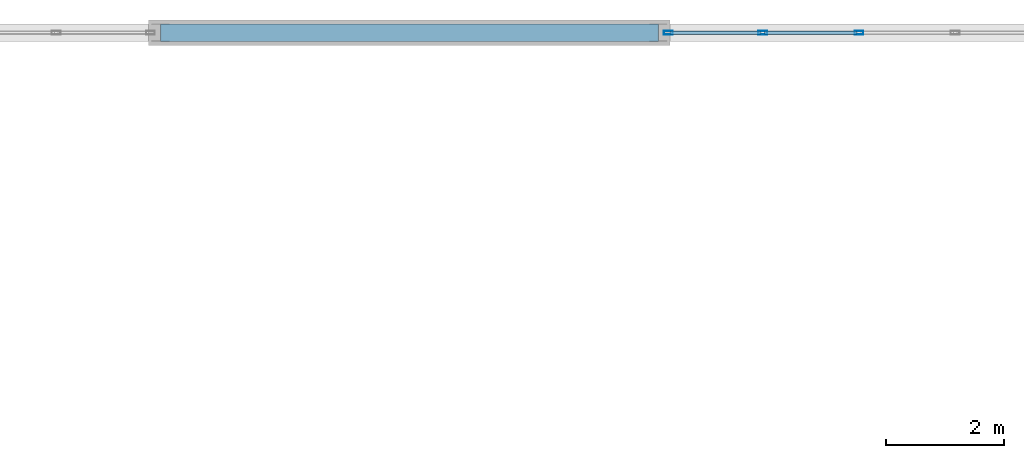
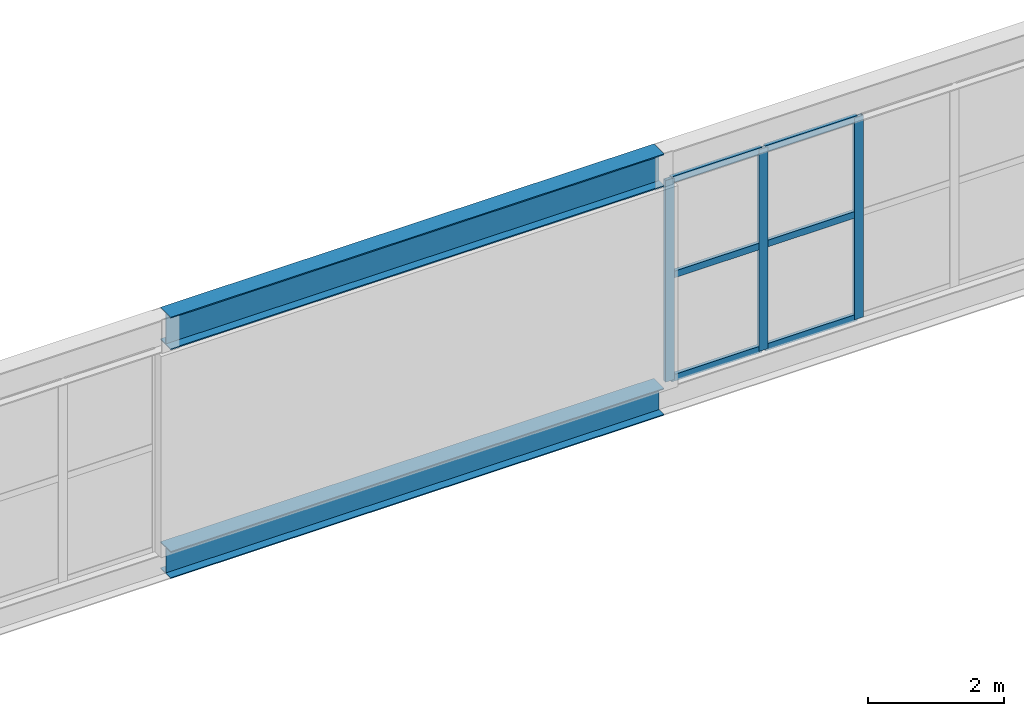
# One storey, part 168 of 218: 9 members, 2 beams, 1 element without a shape of its own.
"""IFC4 building model written with IfcOpenShell, lengths in metres."""

from ifc_helpers import new_model, si_unit, direction, frame, origin, origin_2d, place, context, subcontext, project, spatial, hollow_rectangle, i_section, extrude, material, material_profile, profile_set, type_object, element, aggregate, save


model = new_model("IFC4")

# Units and contexts
model_context = context("Model", 3, precision=1e-05, world=origin(), true_north=direction((0.0, 1.0)))
body_context = subcontext(model_context, "Body", "Model", "MODEL_VIEW")
ifc_project = project(units=[si_unit("LENGTHUNIT", "METRE"), si_unit("AREAUNIT", "SQUARE_METRE"), si_unit("VOLUMEUNIT", "CUBIC_METRE"), si_unit("PLANEANGLEUNIT", "RADIAN"), si_unit("MASSUNIT", "GRAM", prefix="KILO")], contexts=[model_context])

# Site, building, storey
site_placement = place(None, origin())
site = spatial("IfcSite", under=ifc_project, at=site_placement, CompositionType="ELEMENT")
building_placement = place(site_placement, origin())
building = spatial("IfcBuilding", under=site, at=building_placement, Name="Kazenagashi Tramway Depot", CompositionType="ELEMENT")
storey_placement = place(building_placement, frame((0.0, 0.0, 6.0)))
storey = spatial("IfcBuildingStorey", under=building, at=storey_placement, Name="L02", CompositionType="ELEMENT", Elevation=6.0)

# Curtain wall, members
ifc_material_1 = material(Name="Anodised Aluminium and Low-E Glazing", Category="aluminium")
curtain_wall_type = type_object("IfcCurtainWallType", Name="CW-15", PredefinedType="USERDEFINED", material=ifc_material_1)
curtain_wall_placement = place(storey_placement, origin())
curtain_wall = element("IfcCurtainWall", 1, at=curtain_wall_placement, inside=storey, type_object=curtain_wall_type, Name="Industrial Glazed Screen CW-15 CW-0075", ObjectType="GLAZED SCREEN", PredefinedType="USERDEFINED")
ifc_material_2 = material(Name="Anodised Aluminium", Category="aluminium")
ifc_material_profile_1 = material_profile(ifc_material_2, hollow_rectangle(XDim=0.06, YDim=0.15, WallThickness=0.004, at=origin_2d()), Name="RHS-150x60x4")
ifc_profile_set_1 = profile_set([ifc_material_profile_1], Name="Anodised Aluminium")
member_type_1 = type_object("IfcMemberType", Name="ML-01", PredefinedType="MULLION", material=ifc_profile_set_1)
member_1_placement = place(storey_placement, frame((120.57, 130.0, -0.02), z_axis=(0.0, 0.0, 1.0), x_axis=(0.0, 1.0, 0.0)))
member_1 = element("IfcMember", 2, at=member_1_placement, type_object=member_type_1, Name="CW-15 mullion 1", PredefinedType="MULLION", context=body_context, shape_type="SweptSolid", body=[
    extrude(hollow_rectangle(XDim=0.06, YDim=0.15, WallThickness=0.004, at=origin_2d()), origin(), (0.0, 0.0, 1.0), 3.632),
])
member_2_placement = place(storey_placement, frame((122.164, 130.0, -0.02), z_axis=(0.0, 0.0, 1.0), x_axis=(0.0, 1.0, 0.0)))
member_2 = element("IfcMember", 3, at=member_2_placement, type_object=member_type_1, Name="CW-15 mullion 2", PredefinedType="MULLION", context=body_context, shape_type="SweptSolid", body=[
    extrude(hollow_rectangle(XDim=0.06, YDim=0.15, WallThickness=0.004, at=origin_2d()), origin(), (0.0, 0.0, 1.0), 3.632),
])
member_3_placement = place(storey_placement, frame((123.788, 130.0, -0.02), z_axis=(0.0, 0.0, 1.0), x_axis=(0.0, 1.0, 0.0)))
member_3 = element("IfcMember", 4, at=member_3_placement, type_object=member_type_1, Name="CW-15 mullion 3", PredefinedType="MULLION", context=body_context, shape_type="SweptSolid", body=[
    extrude(hollow_rectangle(XDim=0.06, YDim=0.15, WallThickness=0.004, at=origin_2d()), origin(), (0.0, 0.0, 1.0), 3.632),
])

# Beams
ifc_material_3 = material(Name="Steel SN490B", Category="steel")
ifc_material_profile_2 = material_profile(ifc_material_3, i_section(OverallWidth=0.3, OverallDepth=0.588, WebThickness=0.012, FlangeThickness=0.02, at=origin_2d()), Name="H-588x300x12x20")
ifc_profile_set_2 = profile_set([ifc_material_profile_2], Name="Steel SN490B")
beam_type_1 = type_object("IfcBeamType", Name="SP-01", PredefinedType="SPANDREL", material=ifc_profile_set_2)
beam_1_placement = place(storey_placement, frame((112.0, 130.0, 3.906), z_axis=(1.0, 0.0, 0.0), x_axis=(0.0, 1.0, 0.0)))
element("IfcBeam", 5, at=beam_1_placement, inside=storey, type_object=beam_type_1, Name="Beam SP-01 BM-1888", PredefinedType="SPANDREL", context=body_context, shape_type="SweptSolid", body=[
    extrude(i_section(OverallWidth=0.3, OverallDepth=0.588, WebThickness=0.012, FlangeThickness=0.02, at=origin_2d()), origin(), (0.0, 0.0, 1.0), 8.4),
])
ifc_material_profile_3 = material_profile(ifc_material_3, i_section(OverallWidth=0.3, OverallDepth=0.488, WebThickness=0.011, FlangeThickness=0.018, at=origin_2d()), Name="H-488x300x11x18")
ifc_profile_set_3 = profile_set([ifc_material_profile_3], Name="Steel SN490B")
beam_type_2 = type_object("IfcBeamType", Name="SP-02", PredefinedType="SPANDREL", material=ifc_profile_set_3)
beam_2_placement = place(storey_placement, frame((112.0, 130.0, -0.264), z_axis=(1.0, 0.0, 0.0), x_axis=(0.0, 1.0, 0.0)))
element("IfcBeam", 6, at=beam_2_placement, inside=storey, type_object=beam_type_2, Name="Beam SP-02 BM-1832", PredefinedType="SPANDREL", context=body_context, shape_type="SweptSolid", body=[
    extrude(i_section(OverallWidth=0.3, OverallDepth=0.488, WebThickness=0.011, FlangeThickness=0.018, at=origin_2d()), origin(), (0.0, 0.0, 1.0), 8.4),
])

# Member
ifc_material_profile_4 = material_profile(ifc_material_2, hollow_rectangle(XDim=0.06, YDim=0.12, WallThickness=0.004, at=origin_2d()), Name="RHS-120x60x4")
ifc_profile_set_4 = profile_set([ifc_material_profile_4], Name="Anodised Aluminium")
member_type_2 = type_object("IfcMemberType", Name="TR-01", PredefinedType="USERDEFINED", material=ifc_profile_set_4)
member_4_placement = place(storey_placement, frame((120.6, 130.0, 0.01), z_axis=(1.0, 0.0, 0.0), x_axis=(0.0, 1.0, 0.0)))
member_4 = element("IfcMember", 7, at=member_4_placement, type_object=member_type_2, Name="CW-15 transom 1.1", ObjectType="TRANSOM", PredefinedType="USERDEFINED", context=body_context, shape_type="SweptSolid", body=[
    extrude(hollow_rectangle(XDim=0.06, YDim=0.12, WallThickness=0.004, at=origin_2d()), origin(), (0.0, 0.0, 1.0), 1.534),
])

member_5_placement = place(storey_placement, frame((120.6, 130.0, 1.869), z_axis=(1.0, 0.0, 0.0), x_axis=(0.0, 1.0, 0.0)))
member_5 = element("IfcMember", 8, at=member_5_placement, type_object=member_type_2, Name="CW-15 transom 1.2", ObjectType="TRANSOM", PredefinedType="USERDEFINED", context=body_context, shape_type="SweptSolid", body=[
    extrude(hollow_rectangle(XDim=0.06, YDim=0.12, WallThickness=0.004, at=origin_2d()), origin(), (0.0, 0.0, 1.0), 1.534),
])

member_6_placement = place(storey_placement, frame((120.6, 130.0, 3.582), z_axis=(1.0, 0.0, 0.0), x_axis=(0.0, 1.0, 0.0)))
member_6 = element("IfcMember", 9, at=member_6_placement, type_object=member_type_2, Name="CW-15 transom 1.3", ObjectType="TRANSOM", PredefinedType="USERDEFINED", context=body_context, shape_type="SweptSolid", body=[
    extrude(hollow_rectangle(XDim=0.06, YDim=0.12, WallThickness=0.004, at=origin_2d()), origin(), (0.0, 0.0, 1.0), 1.534),
])

member_7_placement = place(storey_placement, frame((122.194, 130.0, 0.01), z_axis=(1.0, 0.0, 0.0), x_axis=(0.0, 1.0, 0.0)))
member_7 = element("IfcMember", 10, at=member_7_placement, type_object=member_type_2, Name="CW-15 transom 2.1", ObjectType="TRANSOM", PredefinedType="USERDEFINED", context=body_context, shape_type="SweptSolid", body=[
    extrude(hollow_rectangle(XDim=0.06, YDim=0.12, WallThickness=0.004, at=origin_2d()), origin(), (0.0, 0.0, 1.0), 1.564),
])

member_8_placement = place(storey_placement, frame((122.194, 130.0, 1.869), z_axis=(1.0, 0.0, 0.0), x_axis=(0.0, 1.0, 0.0)))
member_8 = element("IfcMember", 11, at=member_8_placement, type_object=member_type_2, Name="CW-15 transom 2.2", ObjectType="TRANSOM", PredefinedType="USERDEFINED", context=body_context, shape_type="SweptSolid", body=[
    extrude(hollow_rectangle(XDim=0.06, YDim=0.12, WallThickness=0.004, at=origin_2d()), origin(), (0.0, 0.0, 1.0), 1.564),
])

member_9_placement = place(storey_placement, frame((122.194, 130.0, 3.582), z_axis=(1.0, 0.0, 0.0), x_axis=(0.0, 1.0, 0.0)))
member_9 = element("IfcMember", 12, at=member_9_placement, type_object=member_type_2, Name="CW-15 transom 2.3", ObjectType="TRANSOM", PredefinedType="USERDEFINED", context=body_context, shape_type="SweptSolid", body=[
    extrude(hollow_rectangle(XDim=0.06, YDim=0.12, WallThickness=0.004, at=origin_2d()), origin(), (0.0, 0.0, 1.0), 1.564),
])

aggregate(curtain_wall, [member_1, member_2, member_3, member_4, member_5, member_6, member_7, member_8, member_9])

save(model, "model.ifc")
